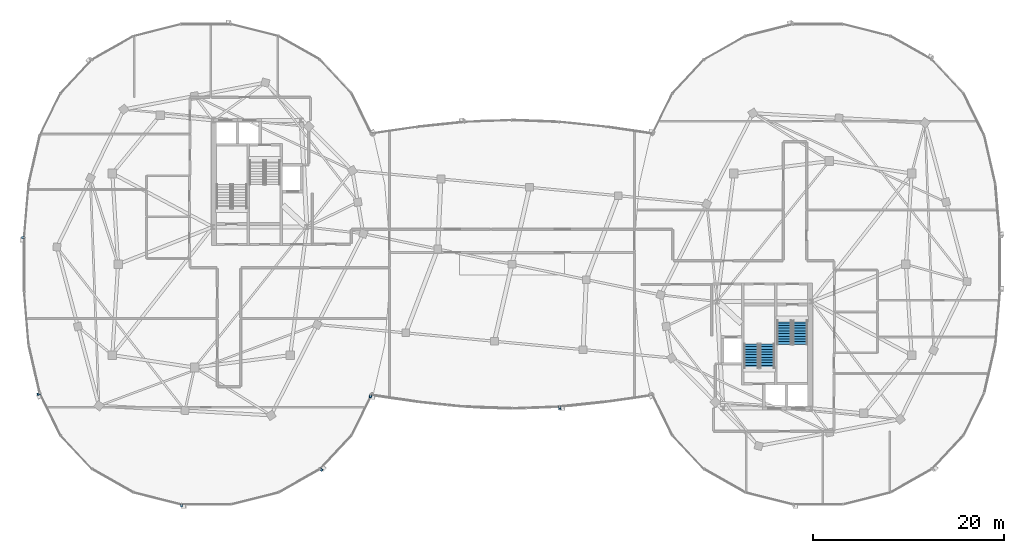
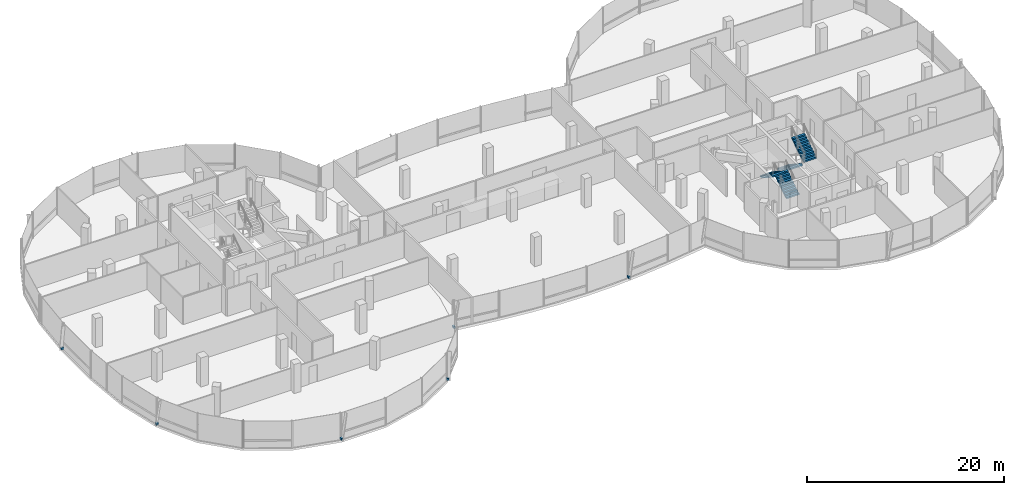
# One storey, part 18 of 26: 6 discrete accessories, 4 stair flights, 2 elements without a shape of their own.
"""IFC4 building model written with IfcOpenShell, lengths in metres."""

from ifc_helpers import new_model, si_unit, direction, frame, origin, origin_2d, place, context, subcontext, project, spatial, polyline, rectangle, outline, extrude, material, type_object, element, aggregate, save


model = new_model("IFC4")

# Units and contexts
model_context = context("Model", 3, precision=1e-05, world=origin(), true_north=direction((0.0, 1.0)))
body_context = subcontext(model_context, "Body", "Model", "MODEL_VIEW")
ifc_project = project(units=[si_unit("LENGTHUNIT", "METRE"), si_unit("AREAUNIT", "SQUARE_METRE"), si_unit("VOLUMEUNIT", "CUBIC_METRE"), si_unit("PLANEANGLEUNIT", "RADIAN"), si_unit("MASSUNIT", "GRAM", prefix="KILO"), si_unit("THERMODYNAMICTEMPERATUREUNIT", "KELVIN"), si_unit("POWERUNIT", "WATT")], contexts=[model_context])

# Site, building, storey
site_placement = place(None, origin())
site = spatial("IfcSite", under=ifc_project, at=site_placement, CompositionType="ELEMENT")
building_placement = place(site_placement, origin())
building = spatial("IfcBuilding", under=site, at=building_placement, Name="Cundina Bronze Exchange", CompositionType="ELEMENT")
storey_placement = place(building_placement, frame((0.0, 0.0, 264.800048828125)))
storey = spatial("IfcBuildingStorey", under=building, at=storey_placement, Name="L70", CompositionType="ELEMENT", Elevation=264.800048828125)

# Stair, stair flights
ifc_material_1 = material(Name="Concrete C40/50", Category="concrete")
stair_type = type_object("IfcStairType", Name="STR-OFF-360", PredefinedType="HALF_TURN_STAIR", material=ifc_material_1)
stair_1_placement = place(storey_placement, origin())
stair_1 = element("IfcStair", 1, at=stair_1_placement, inside=storey, type_object=stair_type, Name="L70 Smokeproof Exit Stair E1", PredefinedType="HALF_TURN_STAIR")
stair_flight_type = type_object("IfcStairFlightType", Name="FLG-OFF-180", PredefinedType="STRAIGHT", material=ifc_material_1)
stair_flight_1_placement = place(storey_placement, frame((28.489990234375, -5.85009765625, 0.0), z_axis=(0.0, 0.0, 1.0), x_axis=(0.0, -1.0, 0.0)))
stair_flight_1 = element("IfcStairFlight", 2, at=stair_flight_1_placement, type_object=stair_flight_type, Name="ST-E1 flight 1", NumberOfRisers=10, NumberOfTreads=9, PredefinedType="STRAIGHT", RiserHeight=0.18, TreadLength=0.28, context=body_context, shape_type="SweptSolid", body=[
    extrude(outline(polyline([(0.0, 0.0), (0.0, 0.179931640625), (0.280029296875, 0.179931640625), (0.280029296875, 0.360107421875), (0.56005859375, 0.360107421875), (0.56005859375, 0.5400390625), (0.840087890625, 0.5400390625), (0.840087890625, 0.719970703125), (1.1201171875, 0.719970703125), (1.1201171875, 0.89990234375), (1.39990234375, 0.89990234375), (1.39990234375, 1.080078125), (1.679931640625, 1.080078125), (1.679931640625, 1.260009765625), (1.9599609375, 1.260009765625), (1.9599609375, 1.43994140625), (2.239990234375, 1.43994140625), (2.239990234375, 1.6201171875), (2.52001953125, 1.6201171875), (2.52001953125, 1.800048828125), (2.52001953125, 1.44189453125), (0.277099609375, 0.0), (0.0, 0.0)])), frame((0.0, 0.75, 0.0), z_axis=(0.0, -1.0, 0.0), x_axis=(1.0, 0.0, 0.0)), (0.0, 0.0, 1.0), 1.5),
])
stair_flight_2_placement = place(storey_placement, frame((30.14990234375, -8.3701171875, 1.800048828125), z_axis=(0.0, 0.0, 1.0), x_axis=(0.0, 1.0, 0.0)))
stair_flight_2 = element("IfcStairFlight", 3, at=stair_flight_2_placement, type_object=stair_flight_type, Name="ST-E1 flight 2", NumberOfRisers=10, NumberOfTreads=9, PredefinedType="STRAIGHT", RiserHeight=0.18, TreadLength=0.28, context=body_context, shape_type="SweptSolid", body=[
    extrude(outline(polyline([(0.0, 0.0), (0.0, 0.179931640625), (0.280029296875, 0.179931640625), (0.280029296875, 0.360107421875), (0.56005859375, 0.360107421875), (0.56005859375, 0.5400390625), (0.840087890625, 0.5400390625), (0.840087890625, 0.719970703125), (1.1201171875, 0.719970703125), (1.1201171875, 0.89990234375), (1.39990234375, 0.89990234375), (1.39990234375, 1.080078125), (1.679931640625, 1.080078125), (1.679931640625, 1.260009765625), (1.9599609375, 1.260009765625), (1.9599609375, 1.43994140625), (2.239990234375, 1.43994140625), (2.239990234375, 1.6201171875), (2.52001953125, 1.6201171875), (2.52001953125, 1.800048828125), (2.52001953125, 1.44189453125), (0.277099609375, 0.0), (0.0, 0.0)])), frame((0.0, 0.75, 0.0), z_axis=(0.0, -1.0, 0.0), x_axis=(1.0, 0.0, 0.0)), (0.0, 0.0, 1.0), 1.5),
])
aggregate(stair_1, [stair_flight_1, stair_flight_2])

stair_2_placement = place(storey_placement, origin())
stair_2 = element("IfcStair", 4, at=stair_2_placement, inside=storey, type_object=stair_type, Name="L70 Smokeproof Exit Stair E2", PredefinedType="HALF_TURN_STAIR")
stair_flight_3_placement = place(storey_placement, frame((26.68994140625, -10.85009765625, 0.0), z_axis=(0.0, 0.0, 1.0), x_axis=(0.0, 1.0, 0.0)))
stair_flight_3 = element("IfcStairFlight", 5, at=stair_flight_3_placement, type_object=stair_flight_type, Name="ST-E2 flight 1", NumberOfRisers=10, NumberOfTreads=9, PredefinedType="STRAIGHT", RiserHeight=0.18, TreadLength=0.28, context=body_context, shape_type="SweptSolid", body=[
    extrude(outline(polyline([(0.0, 0.0), (0.0, 0.179931640625), (0.280029296875, 0.179931640625), (0.280029296875, 0.360107421875), (0.56005859375, 0.360107421875), (0.56005859375, 0.5400390625), (0.840087890625, 0.5400390625), (0.840087890625, 0.719970703125), (1.1201171875, 0.719970703125), (1.1201171875, 0.89990234375), (1.39990234375, 0.89990234375), (1.39990234375, 1.080078125), (1.679931640625, 1.080078125), (1.679931640625, 1.260009765625), (1.9599609375, 1.260009765625), (1.9599609375, 1.43994140625), (2.239990234375, 1.43994140625), (2.239990234375, 1.6201171875), (2.52001953125, 1.6201171875), (2.52001953125, 1.800048828125), (2.52001953125, 1.44189453125), (0.277099609375, 0.0), (0.0, 0.0)])), frame((0.0, 0.75, 0.0), z_axis=(0.0, -1.0, 0.0), x_axis=(1.0, 0.0, 0.0)), (0.0, 0.0, 1.0), 1.5),
])
stair_flight_4_placement = place(storey_placement, frame((25.030029296875, -8.330078125, 1.800048828125), z_axis=(0.0, 0.0, 1.0), x_axis=(0.0, -1.0, 0.0)))
stair_flight_4 = element("IfcStairFlight", 6, at=stair_flight_4_placement, type_object=stair_flight_type, Name="ST-E2 flight 2", NumberOfRisers=10, NumberOfTreads=9, PredefinedType="STRAIGHT", RiserHeight=0.18, TreadLength=0.28, context=body_context, shape_type="SweptSolid", body=[
    extrude(outline(polyline([(0.0, 0.0), (0.0, 0.179931640625), (0.280029296875, 0.179931640625), (0.280029296875, 0.360107421875), (0.56005859375, 0.360107421875), (0.56005859375, 0.5400390625), (0.840087890625, 0.5400390625), (0.840087890625, 0.719970703125), (1.1201171875, 0.719970703125), (1.1201171875, 0.89990234375), (1.39990234375, 0.89990234375), (1.39990234375, 1.080078125), (1.679931640625, 1.080078125), (1.679931640625, 1.260009765625), (1.9599609375, 1.260009765625), (1.9599609375, 1.43994140625), (2.239990234375, 1.43994140625), (2.239990234375, 1.6201171875), (2.52001953125, 1.6201171875), (2.52001953125, 1.800048828125), (2.52001953125, 1.44189453125), (0.277099609375, 0.0), (0.0, 0.0)])), frame((0.0, 0.75, 0.0), z_axis=(0.0, -1.0, 0.0), x_axis=(1.0, 0.0, 0.0)), (0.0, 0.0, 1.0), 1.5),
])
aggregate(stair_2, [stair_flight_3, stair_flight_4])

# Discrete accessories
ifc_material_2 = material(Name="Anodised Bronze Aluminium 6063-T6", Category="aluminium")
discrete_accessory_type = type_object("IfcDiscreteAccessoryType", Name="ACC-BRK-FIN", PredefinedType="BRACKET", material=ifc_material_2)
for number, where, z_axis, x_axis, name in (
    (7, (-51.158935546875, 2.79150390625, 0.10009765625), (0.0, 0.0, 1.0), (0.0, -1.0, 0.0), "L70 Fin Support Bracket 5"),
    (8, (-49.494873046875, -13.565673828125, 0.10009765625), (0.0, 0.0, 1.0), (0.440503330345, -0.897750976582, 0.0), "L70 Fin Support Bracket 1"),
    (9, (-34.576416015625, -25.25, 0.10009765625), (0.0, 0.0, 1.0), (1.0, 0.0, 0.0), "L70 Fin Support Bracket 5"),
    (10, (-19.957763671875, -21.4755859375, 0.10009765625), (0.0, 0.0, 1.0), (0.684343512797, 0.72915976061, 0.0), "L70 Fin Support Bracket 1"),
    (11, (-14.799560546875, -13.79736328125, 0.10009765625), (0.0, 0.0, 1.0), (0.989528308409, -0.144338930496, 0.0), "L70 Fin Support Bracket 1"),
    (12, (5.003173828125, -15.01953125, 0.10009765625), (0.0, 0.0, 1.0), (0.994672274174, 0.103087666525, 0.0), "L70 Fin Support Bracket 5"),
):
    element("IfcDiscreteAccessory", number, at=place(storey_placement, frame(where, z_axis=z_axis, x_axis=x_axis)), inside=storey, type_object=discrete_accessory_type, Name=name, PredefinedType="BRACKET", context=body_context, shape_type="SweptSolid", body=[
        extrude(rectangle(XDim=0.219970703125, YDim=0.320068359375, at=origin_2d()), origin(), (0.0, 0.0, 1.0), 0.239990234375),
    ])

save(model, "model.ifc")
